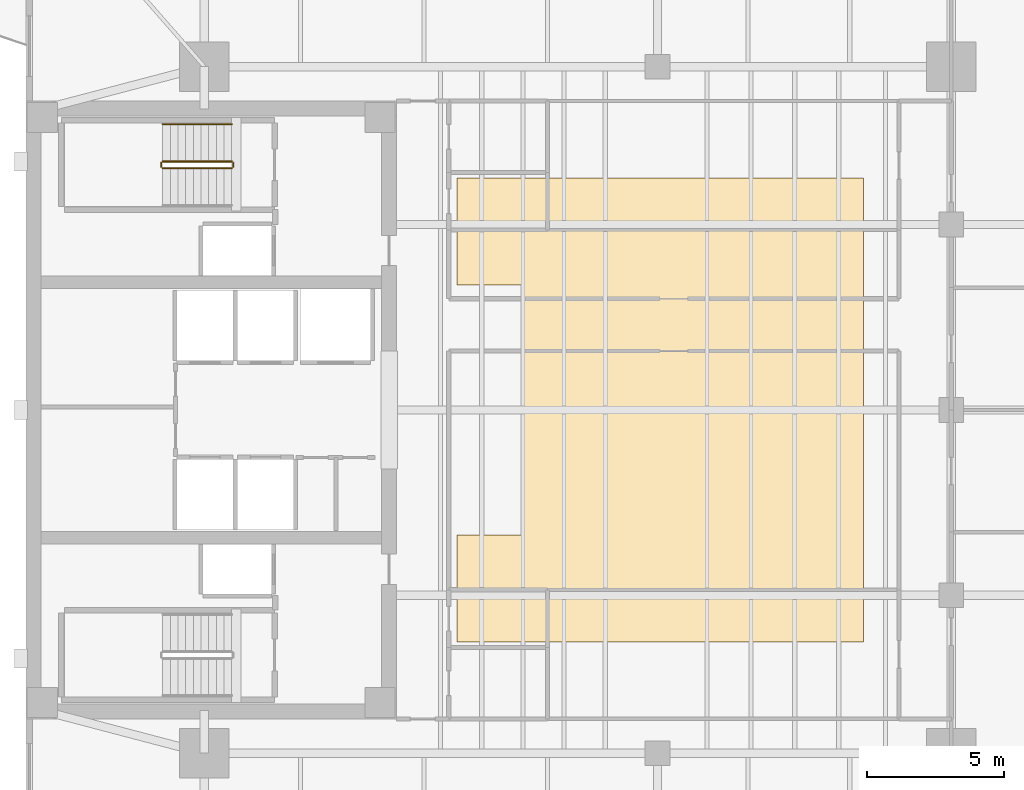
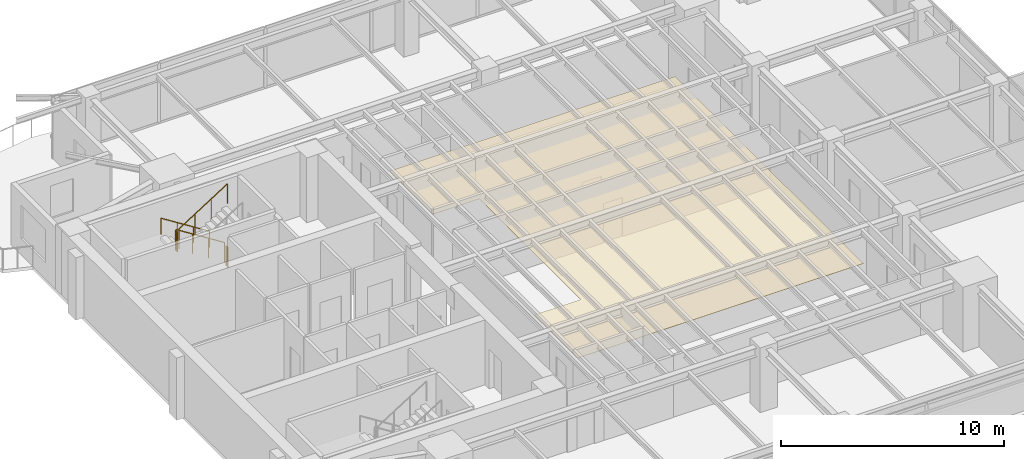
# One storey, part 13 of 14: 5 railings, 1 covering.
"""IFC4 building model written with IfcOpenShell, lengths in metres."""

from ifc_helpers import new_model, si_unit, direction, frame, origin, origin_2d, place, context, subcontext, project, spatial, polyline, circle, outline, extrude, material, layer, layer_set, type_object, element, save


model = new_model("IFC4")

# Units and contexts
model_context = context("Model", 3, precision=1e-05, world=origin(), true_north=direction((0.0, 1.0)))
body_context = subcontext(model_context, "Body", "Model", "MODEL_VIEW")
ifc_project = project(units=[si_unit("LENGTHUNIT", "METRE"), si_unit("AREAUNIT", "SQUARE_METRE"), si_unit("VOLUMEUNIT", "CUBIC_METRE"), si_unit("PLANEANGLEUNIT", "RADIAN"), si_unit("MASSUNIT", "GRAM", prefix="KILO")], contexts=[model_context])

# Site, building, storey
site_placement = place(None, origin())
site = spatial("IfcSite", under=ifc_project, at=site_placement, CompositionType="ELEMENT")
building_placement = place(site_placement, origin())
building = spatial("IfcBuilding", under=site, at=building_placement, Name="Kinhvarn Gate Tower", CompositionType="ELEMENT")
storey_placement = place(building_placement, frame((0.0, 0.0, 205.800048828125)))
storey = spatial("IfcBuildingStorey", under=building, at=storey_placement, Name="L54", CompositionType="ELEMENT", Elevation=205.800048828125)

# Covering
ifc_material_1 = material(Name="Mineral-fibre acoustic ceiling tile")
ifc_layer = layer(ifc_material_1, 0.02001953125)
ifc_layer_set = layer_set([ifc_layer], Name="Mineral-fibre acoustic ceiling tile")
covering_type = type_object("IfcCoveringType", Name="COV-CEIL-20", PredefinedType="CEILING", material=ifc_layer_set)
covering_placement = place(storey_placement, frame((0.0, 0.0, 2.64990234375)))
element("IfcCovering", 1, at=covering_placement, inside=storey, type_object=covering_type, Name="Suspended Acoustic Ceiling Tile (L54-1)", PredefinedType="CEILING", context=body_context, shape_type="SweptSolid", body=[
    extrude(outline(polyline([(35.0, 33.699951171875), (35.0, 16.800048828125), (20.199951171875, 16.800048828125), (20.199951171875, 20.699951171875), (22.60009765625, 20.699951171875), (22.60009765625, 29.800048828125), (20.199951171875, 29.800048828125), (20.199951171875, 33.699951171875), (35.0, 33.699951171875)])), origin(), (0.0, 0.0, 1.0), 0.02001953125),
])

# Railings
ifc_material_2 = material(Name="Steel S355", Category="steel")
railing_type_1 = type_object("IfcRailingType", Name="RL-ST-GRD", PredefinedType="BALUSTRADE", material=ifc_material_2)
railing_1_placement = place(storey_placement, frame((12.0, 34.300048828125, 0.177490234375)))
element("IfcRailing", 2, at=railing_1_placement, inside=storey, type_object=railing_type_1, Name="L54 ST2 stair guard 1", PredefinedType="BALUSTRADE", context=body_context, shape_type="SweptSolid", body=[
    extrude(circle(Radius=0.02392578125, at=origin_2d()), frame((0.0, 0.0, 1.076171875), z_axis=(-0.84460694969, 0.0, 0.535386869969), x_axis=(0.0, -1.0, 0.0)), (0.0, 0.0, 1.0), 2.983642578125),
    extrude(circle(Radius=0.02099609375, at=origin_2d()), origin(), (0.0, 0.0, 1.0), 1.052001953125),
    extrude(circle(Radius=0.02099609375, at=origin_2d()), frame((-0.840087890625, 0.0, 0.532470703125)), (0.0, 0.0, 1.0), 1.052001953125),
    extrude(circle(Radius=0.02099609375, at=origin_2d()), frame((-1.679931640625, 0.0, 1.06494140625)), (0.0, 0.0, 1.0), 1.052001953125),
    extrude(circle(Radius=0.02099609375, at=origin_2d()), frame((-2.52001953125, 0.0, 1.597412109375)), (0.0, 0.0, 1.0), 1.052001953125),
])
railing_2_placement = place(storey_placement, frame((9.429931640625, 34.25, 1.77490234375)))
element("IfcRailing", 3, at=railing_2_placement, inside=storey, type_object=railing_type_1, Name="L54 ST2 stair guard 2", PredefinedType="BALUSTRADE", context=body_context, shape_type="SweptSolid", body=[
    extrude(circle(Radius=0.02392578125, at=origin_2d()), frame((0.0, 0.0, 1.076171875), z_axis=(0.0, -1.0, 0.0), x_axis=(1.0, 0.0, 0.0)), (0.0, 0.0, 1.0), 0.14990234375),
    extrude(circle(Radius=0.02099609375, at=origin_2d()), origin(), (0.0, 0.0, 1.0), 1.052001953125),
    extrude(circle(Radius=0.02099609375, at=origin_2d()), frame((0.0, -0.14990234375, 0.0)), (0.0, 0.0, 1.0), 1.052001953125),
])
railing_3_placement = place(storey_placement, frame((9.47998046875, 34.050048828125, 1.952392578125)))
element("IfcRailing", 4, at=railing_3_placement, inside=storey, type_object=railing_type_1, Name="L54 ST2 stair guard 3", PredefinedType="BALUSTRADE", context=body_context, shape_type="SweptSolid", body=[
    extrude(circle(Radius=0.02392578125, at=origin_2d()), frame((0.0, 0.0, 1.076171875), z_axis=(0.84456994832, 0.0, 0.535445237532), x_axis=(0.0, 1.0, 0.0)), (0.0, 0.0, 1.0), 2.98388671875),
    extrude(circle(Radius=0.02099609375, at=origin_2d()), origin(), (0.0, 0.0, 1.0), 1.052001953125),
    extrude(circle(Radius=0.02099609375, at=origin_2d()), frame((0.840087890625, 0.0, 0.532470703125)), (0.0, 0.0, 1.0), 1.052001953125),
    extrude(circle(Radius=0.02099609375, at=origin_2d()), frame((1.679931640625, 0.0, 1.065185546875)), (0.0, 0.0, 1.0), 1.052001953125),
    extrude(circle(Radius=0.02099609375, at=origin_2d()), frame((2.52001953125, 0.0, 1.59765625)), (0.0, 0.0, 1.0), 1.052001953125),
])
railing_4_placement = place(storey_placement, frame((12.050048828125, 34.25, 0.0)))
element("IfcRailing", 5, at=railing_4_placement, inside=storey, type_object=railing_type_1, Name="L54 ST2 stair guard 4", PredefinedType="BALUSTRADE", context=body_context, shape_type="SweptSolid", body=[
    extrude(circle(Radius=0.02392578125, at=origin_2d()), frame((0.0, 0.0, 1.076171875), z_axis=(0.0, -1.0, 0.0), x_axis=(1.0, 0.0, 0.0)), (0.0, 0.0, 1.0), 0.14990234375),
    extrude(circle(Radius=0.02099609375, at=origin_2d()), origin(), (0.0, 0.0, 1.0), 1.052001953125),
    extrude(circle(Radius=0.02099609375, at=origin_2d()), frame((0.0, -0.14990234375, 0.0)), (0.0, 0.0, 1.0), 1.052001953125),
])
railing_type_2 = type_object("IfcRailingType", Name="RL-ST-HND", PredefinedType="HANDRAIL", material=ifc_material_2)
railing_5_placement = place(storey_placement, frame((12.0, 35.64990234375, 0.177490234375)))
element("IfcRailing", 6, at=railing_5_placement, inside=storey, type_object=railing_type_2, Name="L54 ST2 stair handrail 1", PredefinedType="HANDRAIL", context=body_context, shape_type="SweptSolid", body=[
    extrude(circle(Radius=0.02392578125, at=origin_2d()), frame((0.0, 0.0, 0.8759765625), z_axis=(-0.84460694969, 0.0, 0.535386869969), x_axis=(0.0, -1.0, 0.0)), (0.0, 0.0, 1.0), 2.983642578125),
    extrude(circle(Radius=0.02099609375, at=origin_2d()), origin(), (0.0, 0.0, 1.0), 0.851806640625),
    extrude(circle(Radius=0.02099609375, at=origin_2d()), frame((-0.840087890625, 0.0, 0.532470703125)), (0.0, 0.0, 1.0), 0.851806640625),
    extrude(circle(Radius=0.02099609375, at=origin_2d()), frame((-1.679931640625, 0.0, 1.06494140625)), (0.0, 0.0, 1.0), 0.851806640625),
    extrude(circle(Radius=0.02099609375, at=origin_2d()), frame((-2.52001953125, 0.0, 1.597412109375)), (0.0, 0.0, 1.0), 0.851806640625),
])

save(model, "model.ifc")
